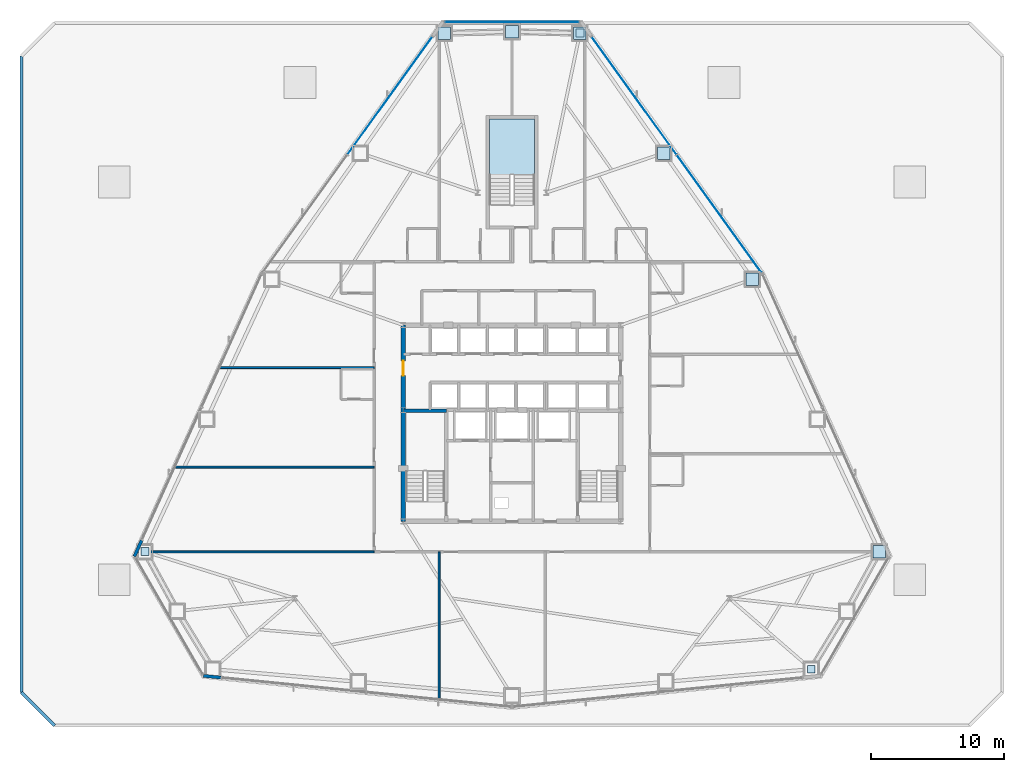
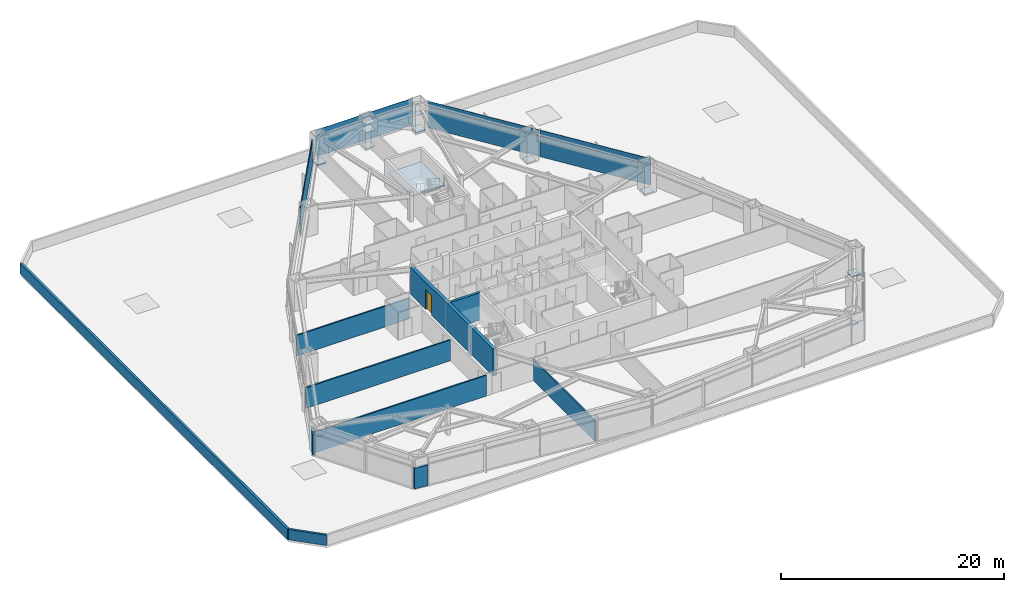
# One storey, part 11 of 17: 22 plates, 10 walls, 1 door, 1 slab, 1 opening, 4 elements without a shape of their own.
"""IFC4 building model written with IfcOpenShell, lengths in metres."""

from ifc_helpers import new_model, si_unit, direction, frame, frame_2d, origin, origin_2d, place, context, subcontext, project, spatial, polyline, rectangle, outline, extrude, source, transform, mapped, material, layer, layer_set, type_object, type_shapes, element, fill, aggregate, save


model = new_model("IFC4")

# Units and contexts
model_context = context("Model", 3, precision=1e-05, world=origin(), true_north=direction((0.0, 1.0)))
body_context = subcontext(model_context, "Body", "Model", "MODEL_VIEW")
ifc_project = project(units=[si_unit("LENGTHUNIT", "METRE"), si_unit("AREAUNIT", "SQUARE_METRE"), si_unit("VOLUMEUNIT", "CUBIC_METRE"), si_unit("PLANEANGLEUNIT", "RADIAN"), si_unit("MASSUNIT", "GRAM", prefix="KILO")], contexts=[model_context])

# Site, building, storey
site_placement = place(None, origin())
site = spatial("IfcSite", under=ifc_project, at=site_placement, CompositionType="ELEMENT")
building_placement = place(site_placement, origin())
building = spatial("IfcBuilding", under=site, at=building_placement, Name="Varakhsha Concourse Tower", CompositionType="ELEMENT")
storey_placement = place(building_placement, frame((0.0, 0.0, 27.199951171875)))
storey = spatial("IfcBuildingStorey", under=building, at=storey_placement, Name="L06", CompositionType="ELEMENT", Elevation=27.199951171875)

# Stair, slab
ifc_material_1 = material(Name="Concrete fc 45 MPa", Category="concrete")
stair_type = type_object("IfcStairType", Name="ST-DOGLEG-1600", PredefinedType="HALF_TURN_STAIR", material=ifc_material_1)
stair_placement = place(storey_placement, origin())
stair = element("IfcStair", 1, at=stair_placement, inside=storey, type_object=stair_type, Name="L06 Protected Exit Stair ST5", PredefinedType="HALF_TURN_STAIR")
ifc_layer_1 = layer(ifc_material_1, 0.199951171875, Name="SL-LAND-200")
ifc_layer_set_1 = layer_set([ifc_layer_1], Name="Concrete fc 45 MPa")
slab_type = type_object("IfcSlabType", Name="SL-LAND-200", PredefinedType="LANDING", material=ifc_layer_set_1)
slab_placement = place(storey_placement, frame((0.0, 0.0, 1.400146484375)))
slab = element("IfcSlab", 2, at=slab_placement, type_object=slab_type, Name="ST5 landing 1", PredefinedType="LANDING", context=body_context, shape_type="SweptSolid", body=[
    extrude(outline(polyline([(41.699951171875, 42.5400390625), (41.699951171875, 46.75), (38.300048828125, 46.75), (38.300048828125, 42.5400390625), (41.699951171875, 42.5400390625)])), origin(), (0.0, 0.0, 1.0), 0.199951171875),
])
aggregate(stair, [slab])

# Plates
ifc_material_2 = material(Name="Structural Steel ASTM A572 Grade 50", Category="steel")
ifc_layer_2 = layer(ifc_material_2, 0.030029296875, Name="PL-ENDCAP-950")
ifc_layer_set_2 = layer_set([ifc_layer_2], Name="Structural Steel ASTM A572 Grade 50")
plate_type_1 = type_object("IfcPlateType", Name="PL-ENDCAP-950", PredefinedType="USERDEFINED", material=ifc_layer_set_2)
shared_shape_1 = source(origin(), body_context, "Body", "SweptSolid", [
    extrude(rectangle(XDim=0.949951171875, YDim=0.949951171875, at=origin_2d()), origin(), (0.0, 0.0, 1.0), 0.030029296875),
])
type_shapes(plate_type_1, [shared_shape_1])
for number, where, z_axis, x_axis, name in (
    (3, (45.1240234375, 53.223388671875, -0.01513671875), (0.0, 0.0, 1.0), (1.0, 0.0, 0.0), "Hollow Section End Cap EP-TC01-L06"),
    (4, (40.0, 53.340087890625, -0.01513671875), (0.0, 0.0, 1.0), (1.0, 0.0, 0.0), "Hollow Section End Cap EP-TC02-L06"),
    (5, (34.8759765625, 53.223388671875, -0.01513671875), (0.0, 0.0, 1.0), (1.0, 0.0, 0.0), "Hollow Section End Cap EP-TC03-L06"),
    (6, (67.697265625, 14.125732421875, -0.01513671875), (0.0, 0.0, 1.0), (1.0, 0.0, 0.0), "Hollow Section End Cap EP-TC15-L06"),
    (7, (58.134521484375, 34.669921875, -0.01513671875), (0.0, 0.0, 1.0), (1.0, 0.0, 0.0), "Hollow Section End Cap EP-TC17-L06"),
    (8, (51.44140625, 44.183837890625, -0.01513671875), (0.0, 0.0, 1.0), (1.0, 0.0, 0.0), "Hollow Section End Cap EP-TC18-L06"),
    (9, (45.1240234375, 53.223388671875, 0.10498046875), (0.0, 0.0, 1.0), (1.0, 0.0, 0.0), "Hollow Section End Cap GP-NODE-L06-0010"),
    (10, (40.0, 53.340087890625, 2.6650390625), (0.0, 0.0, 1.0), (1.0, 0.0, 0.0), "Hollow Section End Cap GP-NODE-L06-0011"),
    (11, (34.8759765625, 53.223388671875, 0.10498046875), (0.0, 0.0, 1.0), (1.0, 0.0, 0.0), "Hollow Section End Cap GP-NODE-L06-0012"),
    (12, (67.697265625, 14.125732421875, 0.10498046875), (0.0, 0.0, 1.0), (1.0, 0.0, 0.0), "Hollow Section End Cap GP-NODE-L06-0018"),
    (13, (40.0, 53.340087890625, 1.78515625), (0.0, 0.0, 1.0), (1.0, 0.0, 0.0), "Hollow Section End Cap GP-NODE-L06-0019"),
):
    element("IfcPlate", number, at=place(storey_placement, frame(where, z_axis=z_axis, x_axis=x_axis)), inside=storey, type_object=plate_type_1, Name=name, ObjectType="END PLATE", PredefinedType="USERDEFINED", context=body_context, shape_type="MappedRepresentation", body=[
        mapped(shared_shape_1, transform((0.0, 0.0, 0.0), scale=1.0)),
    ])
ifc_layer_3 = layer(ifc_material_2, 0.030029296875, Name="PL-BASE-600")
ifc_layer_set_3 = layer_set([ifc_layer_3], Name="Structural Steel ASTM A572 Grade 50")
plate_type_2 = type_object("IfcPlateType", Name="PL-BASE-600", PredefinedType="SHEET", material=ifc_layer_set_3)
shared_shape_2 = source(origin(), body_context, "Body", "SweptSolid", [
    extrude(rectangle(XDim=0.60009765625, YDim=0.60009765625, at=origin_2d()), origin(), (0.0, 0.0, 1.0), 0.030029296875),
])
type_shapes(plate_type_2, [shared_shape_2])
for number, where, z_axis, x_axis, name in (
    (14, (45.1240234375, 53.223388671875, 1.78515625), (0.0, 0.0, 1.0), (1.0, 0.0, 0.0), "Hollow Section End Cap BP-WTIE-L06-1"),
    (15, (12.302734375, 14.125732421875, 1.78515625), (0.0, 0.0, 1.0), (1.0, 0.0, 0.0), "Hollow Section End Cap BP-WTIE-L06-2"),
    (16, (62.572998046875, 5.250732421875, 1.78515625), (0.0, 0.0, 1.0), (1.0, 0.0, 0.0), "Hollow Section End Cap BP-WTIE-L06-3"),
):
    element("IfcPlate", number, at=place(storey_placement, frame(where, z_axis=z_axis, x_axis=x_axis)), inside=storey, type_object=plate_type_2, Name=name, PredefinedType="SHEET", context=body_context, shape_type="MappedRepresentation", body=[
        mapped(shared_shape_2, transform((0.0, 0.0, 0.0), scale=1.0)),
    ])

# Curtain wall, plates
ifc_material_3 = material(Name="Anodised Bronze Architectural Aluminium AA 6063-T6", Category="aluminium")
ifc_layer_4 = layer(ifc_material_3, 0.219970703125, Name="CW-SYS-02")
ifc_layer_set_4 = layer_set([ifc_layer_4], Name="Anodised Bronze Architectural Aluminium AA 6063-T6")
curtain_wall_type = type_object("IfcCurtainWallType", Name="CW-SYS-02", PredefinedType="NOTDEFINED", material=ifc_layer_set_4)
curtain_wall_1_placement = place(storey_placement, origin())
curtain_wall_1 = element("IfcCurtainWall", 17, at=curtain_wall_1_placement, inside=storey, type_object=curtain_wall_type, Name="L06 Chamfer Curtain Wall F1", PredefinedType="NOTDEFINED")
ifc_material_4 = material(Name="Insulated Anodised Bronze Aluminium Spandrel 36 mm", Category="aluminium")
ifc_layer_5 = layer(ifc_material_4, 0.035888671875, Name="CWP-SPN-36")
ifc_layer_set_5 = layer_set([ifc_layer_5], Name="Insulated Anodised Bronze Aluminium Spandrel 36 mm")
plate_type_3 = type_object("IfcPlateType", Name="CWP-SPN-36", PredefinedType="USERDEFINED", material=ifc_layer_set_5)
shared_shape_3 = source(origin(), body_context, "Body", "SweptSolid", [
    extrude(rectangle(XDim=10.0810546875, YDim=0.035888671875, at=origin_2d()), origin(), (0.0, 0.0, 1.0), 2.260986328125),
])
type_shapes(plate_type_3, [shared_shape_3])
plate_1_placement = place(storey_placement, frame((40.0, 54.06005859375, 0.03466796875), z_axis=(0.0, 0.0, 1.0), x_axis=(1.0, 0.0, 0.0)))
plate_1 = element("IfcPlate", 18, at=plate_1_placement, type_object=plate_type_3, Name="CW-L06-F1 Panel 00-00", ObjectType="SPANDREL", PredefinedType="USERDEFINED", context=body_context, shape_type="MappedRepresentation", body=[
    mapped(shared_shape_3, transform((0.0, 0.0, 0.0), scale=1.0)),
])
ifc_material_5 = material(Name="Glazed Turquoise-Bronze Ceramic Spandrel Panel 38 mm", Category="ceramic")
ifc_layer_6 = layer(ifc_material_5, 0.0380859375, Name="CWP-SPN-38")
ifc_layer_set_6 = layer_set([ifc_layer_6], Name="Glazed Turquoise-Bronze Ceramic Spandrel Panel 38 mm")
plate_type_4 = type_object("IfcPlateType", Name="CWP-SPN-38", PredefinedType="USERDEFINED", material=ifc_layer_set_6)
shared_shape_4 = source(origin(), body_context, "Body", "SweptSolid", [
    extrude(rectangle(XDim=10.0810546875, YDim=0.0380859375, at=origin_2d()), origin(), (0.0, 0.0, 1.0), 0.5810546875),
])
plate_2_placement = place(storey_placement, frame((40.0, 54.06005859375, 2.364501953125), z_axis=(0.0, 0.0, 1.0), x_axis=(1.0, 0.0, 0.0)))
plate_2 = element("IfcPlate", 19, at=plate_2_placement, type_object=plate_type_4, Name="CW-L06-F1 Panel 00-01", ObjectType="SPANDREL", PredefinedType="USERDEFINED", context=body_context, shape_type="MappedRepresentation", body=[
    mapped(shared_shape_4, transform((0.0, 0.0, 0.0), scale=1.0)),
])
aggregate(curtain_wall_1, [plate_1, plate_2])

# Curtain wall, plate
curtain_wall_2_placement = place(storey_placement, origin())
curtain_wall_2 = element("IfcCurtainWall", 20, at=curtain_wall_2_placement, inside=storey, type_object=curtain_wall_type, Name="L06 Crystal Curtain Wall F2", PredefinedType="NOTDEFINED")
ifc_material_6 = material(Name="Low-E Triple Insulating Glass IGU 44 mm", Category="glass")
ifc_layer_7 = layer(ifc_material_6, 0.0439453125, Name="CWP-IGU-44")
ifc_layer_set_7 = layer_set([ifc_layer_7], Name="Low-E Triple Insulating Glass IGU 44 mm")
plate_type_5 = type_object("IfcPlateType", Name="CWP-IGU-44", PredefinedType="CURTAIN_PANEL", material=ifc_layer_set_7)
shared_shape_5 = source(origin(), body_context, "Body", "SweptSolid", [
    extrude(rectangle(XDim=10.904296875, YDim=0.0439453125, at=origin_2d()), origin(), (0.0, 0.0, 1.0), 2.260986328125),
])
type_shapes(plate_type_5, [shared_shape_5])
plate_3_placement = place(storey_placement, frame((30.79150390625, 48.517578125, 0.03466796875), z_axis=(0.0, 0.0, 1.0), x_axis=(0.584283660256, 0.81154950826, 0.0)))
plate_3 = element("IfcPlate", 21, at=plate_3_placement, type_object=plate_type_5, Name="CW-L06-F2 Panel 01-00", PredefinedType="CURTAIN_PANEL", context=body_context, shape_type="MappedRepresentation", body=[
    mapped(shared_shape_5, transform((0.0, 0.0, 0.0), scale=1.0)),
])

# Curtain wall, plates
curtain_wall_3_placement = place(storey_placement, origin())
curtain_wall_3 = element("IfcCurtainWall", 22, at=curtain_wall_3_placement, inside=storey, type_object=curtain_wall_type, Name="L06 Crystal Curtain Wall F9", PredefinedType="NOTDEFINED")
plate_4_placement = place(storey_placement, frame((49.20849609375, 48.517578125, 0.03466796875), z_axis=(0.0, 0.0, 1.0), x_axis=(0.584283660256, -0.81154950826, 0.0)))
plate_4 = element("IfcPlate", 23, at=plate_4_placement, type_object=plate_type_5, Name="CW-L06-F9 Panel 00-00", PredefinedType="CURTAIN_PANEL", context=body_context, shape_type="MappedRepresentation", body=[
    mapped(shared_shape_5, transform((0.0, 0.0, 0.0), scale=1.0)),
])
plate_5_placement = place(storey_placement, frame((55.625732421875, 39.60400390625, 0.03466796875), z_axis=(0.0, 0.0, 1.0), x_axis=(0.584283660256, -0.81154950826, 0.0)))
plate_5 = element("IfcPlate", 24, at=plate_5_placement, type_object=plate_type_5, Name="CW-L06-F9 Panel 01-00", PredefinedType="CURTAIN_PANEL", context=body_context, shape_type="MappedRepresentation", body=[
    mapped(shared_shape_5, transform((0.0, 0.0, 0.0), scale=1.0)),
])

# Plate
shared_shape_6 = source(origin(), body_context, "Body", "SweptSolid", [
    extrude(rectangle(XDim=10.904296875, YDim=0.0380859375, at=origin_2d()), origin(), (0.0, 0.0, 1.0), 0.5810546875),
])
type_shapes(plate_type_4, [shared_shape_4, shared_shape_6])
plate_6_placement = place(storey_placement, frame((30.79150390625, 48.517578125, 2.364501953125), z_axis=(0.0, 0.0, 1.0), x_axis=(0.584283660256, 0.81154950826, 0.0)))
plate_6 = element("IfcPlate", 25, at=plate_6_placement, type_object=plate_type_4, Name="CW-L06-F2 Panel 01-01", ObjectType="SPANDREL", PredefinedType="USERDEFINED", context=body_context, shape_type="MappedRepresentation", body=[
    mapped(shared_shape_6, transform((0.0, 0.0, 0.0), scale=1.0)),
])

aggregate(curtain_wall_2, [plate_3, plate_6])

plate_7_placement = place(storey_placement, frame((49.20849609375, 48.517578125, 2.364501953125), z_axis=(0.0, 0.0, 1.0), x_axis=(0.584283660256, -0.81154950826, 0.0)))
plate_7 = element("IfcPlate", 26, at=plate_7_placement, type_object=plate_type_4, Name="CW-L06-F9 Panel 00-01", ObjectType="SPANDREL", PredefinedType="USERDEFINED", context=body_context, shape_type="MappedRepresentation", body=[
    mapped(shared_shape_6, transform((0.0, 0.0, 0.0), scale=1.0)),
])

plate_8_placement = place(storey_placement, frame((55.625732421875, 39.60400390625, 2.364501953125), z_axis=(0.0, 0.0, 1.0), x_axis=(0.584283660256, -0.81154950826, 0.0)))
plate_8 = element("IfcPlate", 27, at=plate_8_placement, type_object=plate_type_4, Name="CW-L06-F9 Panel 01-01", ObjectType="SPANDREL", PredefinedType="USERDEFINED", context=body_context, shape_type="MappedRepresentation", body=[
    mapped(shared_shape_6, transform((0.0, 0.0, 0.0), scale=1.0)),
])

aggregate(curtain_wall_3, [plate_4, plate_7, plate_5, plate_8])

# Wall, opening, door
ifc_material_7 = material(Name="Concrete fc 65 MPa", Category="concrete")
ifc_layer_8 = layer(ifc_material_7, 0.35009765625, Name="WL-CORE-350")
ifc_layer_set_8 = layer_set([ifc_layer_8], Name="Concrete fc 65 MPa")
wall_type_1 = type_object("IfcWallType", Name="WL-CORE-350", PredefinedType="SHEAR", material=ifc_layer_set_8)
wall_1_placement = place(storey_placement, frame((31.800048828125, 16.39990234375, 0.0), z_axis=(0.0, 0.0, 1.0), x_axis=(0.0, 1.0, 0.0)))
wall_1 = element("IfcWall", 28, at=wall_1_placement, inside=storey, type_object=wall_type_1, Name="L06 Wall CWALL-W-L06", PredefinedType="SHEAR", context=body_context, shape_type="SweptSolid", body=[
    extrude(rectangle(XDim=14.800048828125, YDim=0.35009765625, at=frame_2d((7.39990234375, 0.0))), origin(), (0.0, 0.0, 1.0), 2.97998046875),
])
opening_placement = place(wall_1_placement, frame((11.0, 0.0, 0.0)))
opening = element("IfcOpeningElement", 29, at=opening_placement, cuts=wall_1, Name="Opening DL-01", PredefinedType="OPENING", context=body_context, shape_type="SweptSolid", body=[
    extrude(rectangle(XDim=1.10009765625, YDim=2.14990234375, at=frame_2d((0.550048828125, 1.074951171875))), frame((0.0, 0.18505859375, 0.0), z_axis=(0.0, -1.0, 0.0), x_axis=(1.0, 0.0, 0.0)), (0.0, 0.0, 1.0), 0.3701171875),
])
door_type = type_object("IfcDoorType", Name="DR-LOB-1100", OperationType="NOTDEFINED", PredefinedType="DOOR", material=ifc_material_3)
door_placement = place(opening_placement, origin())
door = element("IfcDoor", 30, at=door_placement, inside=storey, type_object=door_type, Name="L06 Lift Lobby West Concourse Door", OperationType="SINGLE_SWING_LEFT", OverallHeight=2.14990234375, OverallWidth=1.10009765625, PredefinedType="DOOR", context=body_context, shape_type="SweptSolid", body=[
    extrude(rectangle(XDim=1.10009765625, YDim=2.14990234375, at=frame_2d((0.550048828125, 1.074951171875))), frame((0.0, 0.02490234375, 0.0), z_axis=(0.0, -1.0, 0.0), x_axis=(1.0, 0.0, 0.0)), (0.0, 0.0, 1.0), 0.050048828125),
])
fill(opening, door)

# Walls
ifc_layer_9 = layer(ifc_material_1, 0.239990234375, Name="WL-EXT-CRN-240")
ifc_layer_set_9 = layer_set([ifc_layer_9], Name="Concrete fc 45 MPa")
wall_type_2 = type_object("IfcWallType", Name="WL-EXT-CRN-240", PredefinedType="SHEAR", material=ifc_layer_set_9)
wall_2_placement = place(storey_placement, frame((12.0654296875, 14.974609375, 0.0), z_axis=(0.0, 0.0, 1.0), x_axis=(-0.410767856127, -0.91173996752, 0.0)))
element("IfcWall", 31, at=wall_2_placement, inside=storey, type_object=wall_type_2, Name="L06 Wind-Corner Shoulder Wall F3", PredefinedType="SHEAR", context=body_context, shape_type="SweptSolid", body=[
    extrude(rectangle(XDim=1.334228515625, YDim=0.239990234375, at=frame_2d((0.6669921875, 0.0))), origin(), (0.0, 0.0, 1.0), 2.262939453125),
])
wall_3_placement = place(storey_placement, frame((16.715576171875, 4.75439453125, 0.0), z_axis=(0.0, 0.0, 1.0), x_axis=(0.994962653924, -0.100246283205, 0.0)))
element("IfcWall", 32, at=wall_3_placement, inside=storey, type_object=wall_type_2, Name="L06 Wind-Corner Shoulder Wall F5", PredefinedType="SHEAR", context=body_context, shape_type="SweptSolid", body=[
    extrude(rectangle(XDim=1.334716796875, YDim=0.239990234375, at=frame_2d((0.66748046875, 0.0))), origin(), (0.0, 0.0, 1.0), 2.262939453125),
])
ifc_layer_10 = layer(ifc_material_1, 0.219970703125, Name="WL-PARAPET-220")
ifc_layer_set_10 = layer_set([ifc_layer_10], Name="Concrete fc 45 MPa")
wall_type_3 = type_object("IfcWallType", Name="WL-PARAPET-220", PredefinedType="PARAPET", material=ifc_layer_set_10)
wall_4_placement = place(storey_placement, frame((3.0, 51.5, 0.0), z_axis=(0.0, 0.0, 1.0), x_axis=(0.0, -1.0, 0.0)))
element("IfcWall", 33, at=wall_4_placement, inside=storey, type_object=wall_type_3, Name="Podium Roof Perimeter Parapet 07", PredefinedType="PARAPET", context=body_context, shape_type="SweptSolid", body=[
    extrude(rectangle(XDim=48.0, YDim=0.219970703125, at=frame_2d((24.0, 0.0))), origin(), (0.0, 0.0, 1.0), 1.150146484375),
])
wall_5_placement = place(storey_placement, frame((3.0, 3.5, 0.0), z_axis=(0.0, 0.0, 1.0), x_axis=(0.707106781187, -0.707106781187, 0.0)))
element("IfcWall", 34, at=wall_5_placement, inside=storey, type_object=wall_type_3, Name="Podium Roof Perimeter Parapet 08", PredefinedType="PARAPET", context=body_context, shape_type="SweptSolid", body=[
    extrude(rectangle(XDim=3.53564453125, YDim=0.219970703125, at=frame_2d((1.767822265625, 0.0))), origin(), (0.0, 0.0, 1.0), 1.150146484375),
])
ifc_material_8 = material(Name="Fire-Rated Type X Gypsum Partition Assembly", Category="gypsum")
ifc_layer_11 = layer(ifc_material_8, 0.14990234375, Name="WL-PART-150")
ifc_layer_set_11 = layer_set([ifc_layer_11], Name="Fire-Rated Type X Gypsum Partition Assembly")
wall_type_4 = type_object("IfcWallType", Name="WL-PART-150", PredefinedType="PARTITIONING", material=ifc_layer_set_11)
wall_6_placement = place(storey_placement, frame((34.5, 2.968017578125, 0.0), z_axis=(0.0, 0.0, 1.0), x_axis=(0.0, 1.0, 0.0)))
element("IfcWall", 35, at=wall_6_placement, inside=storey, type_object=wall_type_4, Name="L06 Wall HDIV-S1-L06", PredefinedType="PARTITIONING", context=body_context, shape_type="SweptSolid", body=[
    extrude(rectangle(XDim=11.132080078125, YDim=0.14990234375, at=frame_2d((5.56591796875, 0.0))), origin(), (0.0, 0.0, 1.0), 2.26806640625),
])
wall_7_placement = place(storey_placement, frame((11.677001953125, 14.10009765625, 0.0), z_axis=(0.0, 0.0, 1.0), x_axis=(1.0, 0.0, 0.0)))
element("IfcWall", 36, at=wall_7_placement, inside=storey, type_object=wall_type_4, Name="L06 Wall HDIV-WB0-L06", PredefinedType="PARTITIONING", context=body_context, shape_type="SweptSolid", body=[
    extrude(rectangle(XDim=17.923095703125, YDim=0.14990234375, at=frame_2d((8.96142578125, 0.0))), origin(), (0.0, 0.0, 1.0), 2.26806640625),
])
wall_8_placement = place(storey_placement, frame((14.5595703125, 20.5, 0.0), z_axis=(0.0, 0.0, 1.0), x_axis=(1.0, 0.0, 0.0)))
element("IfcWall", 37, at=wall_8_placement, inside=storey, type_object=wall_type_4, Name="L06 Wall HDIV-W1-L06", PredefinedType="PARTITIONING", context=body_context, shape_type="SweptSolid", body=[
    extrude(rectangle(XDim=15.04052734375, YDim=0.14990234375, at=frame_2d((7.520263671875, 0.0))), origin(), (0.0, 0.0, 1.0), 2.26806640625),
])
wall_9_placement = place(storey_placement, frame((17.937744140625, 28.0, 0.0), z_axis=(0.0, 0.0, 1.0), x_axis=(1.0, 0.0, 0.0)))
element("IfcWall", 38, at=wall_9_placement, inside=storey, type_object=wall_type_4, Name="L06 Wall HDIV-W2-L06", PredefinedType="PARTITIONING", context=body_context, shape_type="SweptSolid", body=[
    extrude(rectangle(XDim=11.662353515625, YDim=0.14990234375, at=frame_2d((5.8310546875, 0.0))), origin(), (0.0, 0.0, 1.0), 2.26806640625),
])
ifc_layer_12 = layer(ifc_material_1, 0.25, Name="WL-STAIR-250")
ifc_layer_set_12 = layer_set([ifc_layer_12], Name="Concrete fc 45 MPa")
wall_type_5 = type_object("IfcWallType", Name="WL-STAIR-250", PredefinedType="SHEAR", material=ifc_layer_set_12)
wall_10_placement = place(storey_placement, frame((31.800048828125, 24.7548828125, 0.0), z_axis=(0.0, 0.0, 1.0), x_axis=(1.0, 0.0, 0.0)))
element("IfcWall", 39, at=wall_10_placement, inside=storey, type_object=wall_type_5, Name="L06 Wall SWALL-ST1-N-L06", PredefinedType="SHEAR", context=body_context, shape_type="SweptSolid", body=[
    extrude(rectangle(XDim=3.244873046875, YDim=0.25, at=frame_2d((1.62255859375, 0.0))), origin(), (0.0, 0.0, 1.0), 2.97998046875),
])

save(model, "model.ifc")
